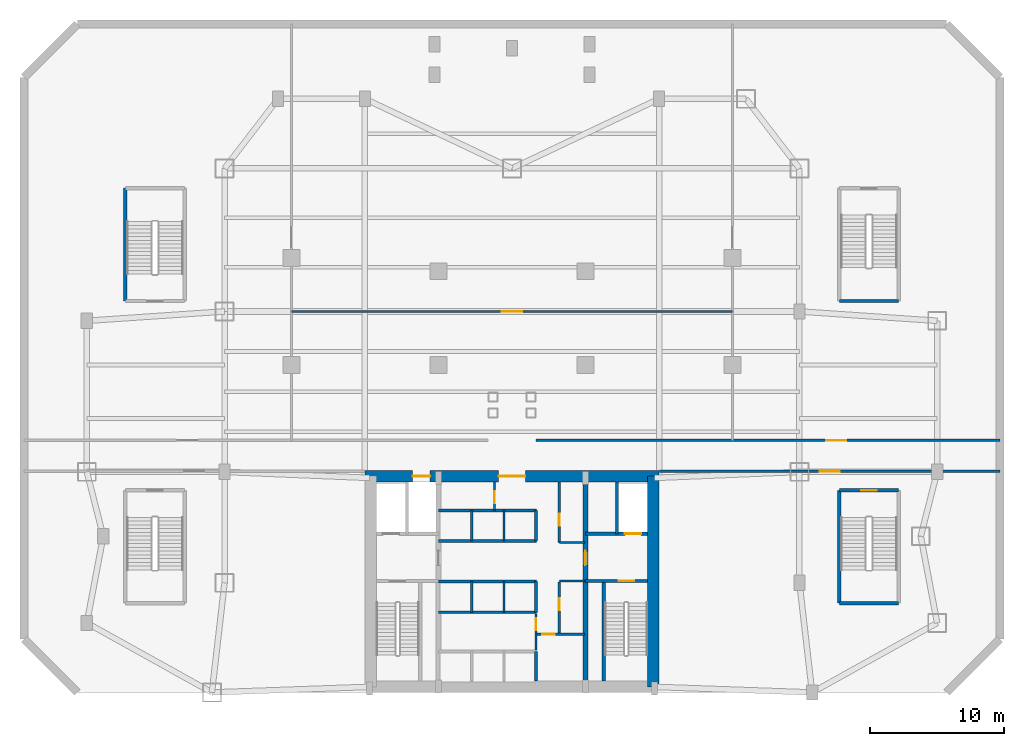
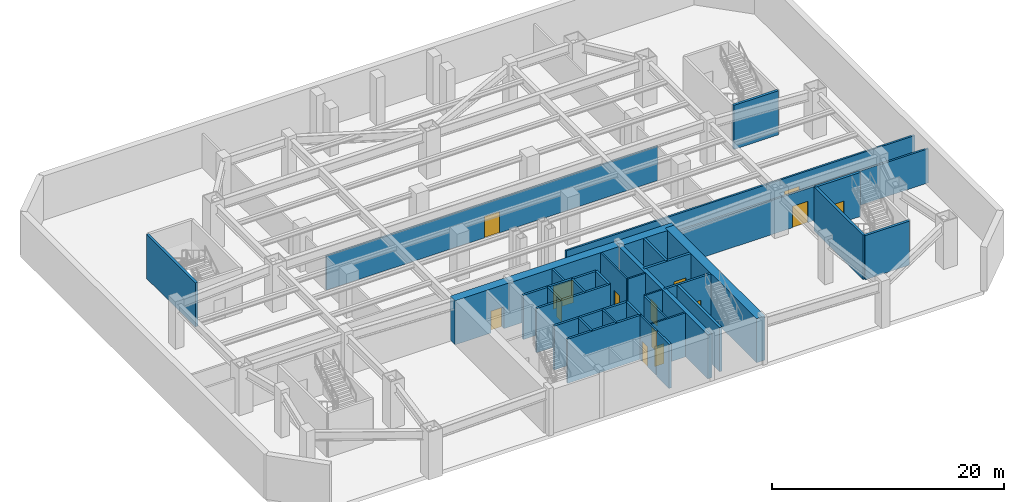
# One storey, part 3 of 6: 33 walls, 14 doors, 14 openings.
"""IFC4 building model written with IfcOpenShell, lengths in metres."""

from ifc_helpers import new_model, si_unit, direction, frame, frame_2d, origin, place, context, subcontext, project, spatial, rectangle, extrude, source, transform, mapped, material, layer, layer_set, type_object, type_shapes, element, fill, save


model = new_model("IFC4")

# Units and contexts
model_context = context("Model", 3, precision=1e-05, world=origin(), true_north=direction((0.0, 1.0)))
body_context = subcontext(model_context, "Body", "Model", "MODEL_VIEW")
ifc_project = project(units=[si_unit("LENGTHUNIT", "METRE"), si_unit("AREAUNIT", "SQUARE_METRE"), si_unit("VOLUMEUNIT", "CUBIC_METRE"), si_unit("PLANEANGLEUNIT", "RADIAN"), si_unit("MASSUNIT", "GRAM", prefix="KILO")], contexts=[model_context])

# Site, building, storey
site_placement = place(None, origin())
site = spatial("IfcSite", under=ifc_project, at=site_placement, CompositionType="ELEMENT")
building_placement = place(site_placement, origin())
building = spatial("IfcBuilding", under=site, at=building_placement, Name="Varnakhor Terracotta Tower", CompositionType="ELEMENT")
storey_placement = place(building_placement, frame((0.0, 0.0, -5.0)))
storey = spatial("IfcBuildingStorey", under=building, at=storey_placement, Name="B01", CompositionType="ELEMENT", Elevation=-5.0)

# Wall, openings, doors
ifc_material_1 = material(Name="Concrete C60/75", Category="concrete")
ifc_layer_1 = layer(ifc_material_1, 0.85009765625, Name="Concrete C60/75")
ifc_layer_set_1 = layer_set([ifc_layer_1], Name="Concrete C60/75")
wall_type_1 = type_object("IfcWallType", Name="WAL-CORE-850", PredefinedType="SHEAR", material=ifc_layer_set_1)
wall_1_placement = place(storey_placement, frame((-11.0, 16.175048828125, 0.0), z_axis=(0.0, 0.0, 1.0), x_axis=(1.0, 0.0, 0.0)))
wall_1 = element("IfcWall", 1, at=wall_1_placement, inside=storey, type_object=wall_type_1, Name="B01 North Core Shear Wall", PredefinedType="SHEAR", context=body_context, shape_type="SweptSolid", body=[
    extrude(rectangle(XDim=22.0, YDim=0.85009765625, at=frame_2d((11.0, 0.0))), origin(), (0.0, 0.0, 1.0), 4.639892578125),
])
opening_1_placement = place(wall_1_placement, frame((3.570068359375, 0.0, 0.0)))
opening_1 = element("IfcOpeningElement", 2, at=opening_1_placement, cuts=wall_1, Name="Opening LD-03", PredefinedType="OPENING", context=body_context, shape_type="SweptSolid", body=[
    extrude(rectangle(XDim=1.300048828125, YDim=2.300048828125, at=frame_2d((0.64990234375, 1.14990234375))), frame((0.0, 0.43505859375, 0.0), z_axis=(0.0, -1.0, 0.0), x_axis=(1.0, 0.0, 0.0)), (0.0, 0.0, 1.0), 0.8701171875),
])
opening_2_placement = place(wall_1_placement, frame((10.0, 0.0, 0.0)))
opening_2 = element("IfcOpeningElement", 3, at=opening_2_placement, cuts=wall_1, Name="Opening DR-32", PredefinedType="OPENING", context=body_context, shape_type="SweptSolid", body=[
    extrude(rectangle(XDim=2.0, YDim=2.39990234375, at=frame_2d((1.0, 1.199951171875))), frame((0.0, 0.43505859375, 0.0), z_axis=(0.0, -1.0, 0.0), x_axis=(1.0, 0.0, 0.0)), (0.0, 0.0, 1.0), 0.8701171875),
])
ifc_material_2 = material(Name="Heavy-Duty Goods Sliding Lift Landing Door", Category="steel")
door_type_1 = type_object("IfcDoorType", Name="LD-SRV-1300X2300", OperationType="NOTDEFINED", PredefinedType="DOOR", material=ifc_material_2)
shared_shape_1 = source(origin(), body_context, "Body", "SweptSolid", [
    extrude(rectangle(XDim=1.300048828125, YDim=2.300048828125, at=frame_2d((0.64990234375, 1.14990234375))), frame((0.0, 0.02490234375, 0.0), z_axis=(0.0, -1.0, 0.0), x_axis=(1.0, 0.0, 0.0)), (0.0, 0.0, 1.0), 0.050048828125),
])
type_shapes(door_type_1, [shared_shape_1])
door_1_placement = place(opening_1_placement, origin())
door_1 = element("IfcDoor", 4, at=door_1_placement, inside=storey, type_object=door_type_1, Name="B01 Service Lift SVL-1 Landing Door", OperationType="SLIDING_TO_RIGHT", OverallHeight=2.300048828125, OverallWidth=1.300048828125, PredefinedType="DOOR", context=body_context, shape_type="MappedRepresentation", body=[
    mapped(shared_shape_1, transform((0.0, 0.0, 0.0), scale=1.0)),
])
fill(opening_1, door_1)
ifc_material_3 = material(Name="Acoustic Double Assembly Fire Door", Category="wood")
door_type_2 = type_object("IfcDoorType", Name="DR-HALL-2000X2400", OperationType="NOTDEFINED", PredefinedType="DOOR", material=ifc_material_3)
shared_shape_2 = source(origin(), body_context, "Body", "SweptSolid", [
    extrude(rectangle(XDim=2.0, YDim=2.39990234375, at=frame_2d((1.0, 1.199951171875))), frame((0.0, 0.02490234375, 0.0), z_axis=(0.0, -1.0, 0.0), x_axis=(1.0, 0.0, 0.0)), (0.0, 0.0, 1.0), 0.050048828125),
])
type_shapes(door_type_2, [shared_shape_2])
door_2_placement = place(opening_2_placement, origin())
door_2 = element("IfcDoor", 5, at=door_2_placement, inside=storey, type_object=door_type_2, Name="B01 Core Main Lobby Double Door", OperationType="DOUBLE_DOOR_SINGLE_SWING", OverallHeight=2.39990234375, OverallWidth=2.0, PredefinedType="DOOR", context=body_context, shape_type="MappedRepresentation", body=[
    mapped(shared_shape_2, transform((0.0, 0.0, 0.0), scale=1.0)),
])
fill(opening_2, door_2)

# Wall
wall_2_placement = place(storey_placement, frame((10.574951171875, 0.425048828125, 0.0), z_axis=(0.0, 0.0, 1.0), x_axis=(0.0, 1.0, 0.0)))
element("IfcWall", 6, at=wall_2_placement, inside=storey, type_object=wall_type_1, Name="B01 East Core Shear Wall", PredefinedType="SHEAR", context=body_context, shape_type="SweptSolid", body=[
    extrude(rectangle(XDim=15.75, YDim=0.85009765625, at=frame_2d((7.875, 0.0))), origin(), (0.0, 0.0, 1.0), 4.639892578125),
])

# Wall, opening, door
ifc_material_4 = material(Name="Concrete C50/60", Category="concrete")
ifc_layer_2 = layer(ifc_material_4, 0.39990234375, Name="Concrete C50/60")
ifc_layer_set_2 = layer_set([ifc_layer_2], Name="Concrete C50/60")
wall_type_2 = type_object("IfcWallType", Name="WAL-CORE-WEB-400", PredefinedType="SHEAR", material=ifc_layer_set_2)
wall_3_placement = place(storey_placement, frame((5.5, 0.425048828125, 0.0), z_axis=(0.0, 0.0, 1.0), x_axis=(0.0, 1.0, 0.0)))
wall_3 = element("IfcWall", 7, at=wall_3_placement, inside=storey, type_object=wall_type_2, Name="B01 East Core Web Shear Wall", PredefinedType="SHEAR", context=body_context, shape_type="SweptSolid", body=[
    extrude(rectangle(XDim=15.75, YDim=0.39990234375, at=frame_2d((7.875, 0.0))), origin(), (0.0, 0.0, 1.0), 4.639892578125),
])
opening_3_placement = place(wall_3_placement, frame((9.074951171875, 0.0, 0.0)))
opening_3 = element("IfcOpeningElement", 8, at=opening_3_placement, cuts=wall_3, Name="Opening DR-25", PredefinedType="OPENING", context=body_context, shape_type="SweptSolid", body=[
    extrude(rectangle(XDim=1.10009765625, YDim=2.199951171875, at=frame_2d((0.550048828125, 1.10009765625))), frame((0.0, 0.2099609375, 0.0), z_axis=(0.0, -1.0, 0.0), x_axis=(1.0, 0.0, 0.0)), (0.0, 0.0, 1.0), 0.419921875),
])
ifc_material_5 = material(Name="Firefighting Lobby Self-Closing Fire Door", Category="steel")
door_type_3 = type_object("IfcDoorType", Name="DR-FFL-1100X2200", OperationType="NOTDEFINED", PredefinedType="DOOR", material=ifc_material_5)
shared_shape_3 = source(origin(), body_context, "Body", "SweptSolid", [
    extrude(rectangle(XDim=1.10009765625, YDim=2.199951171875, at=frame_2d((0.550048828125, 1.10009765625))), frame((0.0, 0.02490234375, 0.0), z_axis=(0.0, -1.0, 0.0), x_axis=(1.0, 0.0, 0.0)), (0.0, 0.0, 1.0), 0.050048828125),
])
type_shapes(door_type_3, [shared_shape_3])
door_3_placement = place(opening_3_placement, origin())
door_3 = element("IfcDoor", 9, at=door_3_placement, inside=storey, type_object=door_type_3, Name="B01 East Firefighting Lobby Door", OperationType="SINGLE_SWING_LEFT", OverallHeight=2.199951171875, OverallWidth=1.10009765625, PredefinedType="DOOR", context=body_context, shape_type="MappedRepresentation", body=[
    mapped(shared_shape_3, transform((0.0, 0.0, 0.0), scale=1.0)),
])
fill(opening_3, door_3)

ifc_material_6 = material(Name="Fire-Rated Gypsum Stud Partition", Category="gypsum")
ifc_layer_3 = layer(ifc_material_6, 0.18505859375, Name="Fire-Rated Gypsum Stud Partition")
ifc_layer_set_3 = layer_set([ifc_layer_3], Name="Fire-Rated Gypsum Stud Partition")
wall_type_3 = type_object("IfcWallType", Name="WAL-CORR-185", PredefinedType="PARTITIONING", material=ifc_layer_set_3)
wall_4_placement = place(storey_placement, frame((11.02001953125, 16.550048828125, 0.0), z_axis=(0.0, 0.0, 1.0), x_axis=(1.0, 0.0, 0.0)))
wall_4 = element("IfcWall", 10, at=wall_4_placement, inside=storey, type_object=wall_type_3, Name="B01 East Plant Corridor Wall", PredefinedType="PARTITIONING", context=body_context, shape_type="SweptSolid", body=[
    extrude(rectangle(XDim=25.469970703125, YDim=0.18505859375, at=frame_2d((12.73486328125, 0.0))), origin(), (0.0, 0.0, 1.0), 3.592041015625),
])
opening_4_placement = place(wall_4_placement, frame((11.985107421875, 0.0, 0.0)))
opening_4 = element("IfcOpeningElement", 11, at=opening_4_placement, cuts=wall_4, Name="Opening DR-30", PredefinedType="OPENING", context=body_context, shape_type="SweptSolid", body=[
    extrude(rectangle(XDim=1.5, YDim=2.25, at=frame_2d((0.75, 1.125))), frame((0.0, 0.1025390625, 0.0), z_axis=(0.0, -1.0, 0.0), x_axis=(1.0, 0.0, 0.0)), (0.0, 0.0, 1.0), 0.205078125),
])
ifc_material_7 = material(Name="Double Acoustic Conference Room Door", Category="wood")
door_type_4 = type_object("IfcDoorType", Name="DR-MEET-1500X2250", OperationType="NOTDEFINED", PredefinedType="DOOR", material=ifc_material_7)
shared_shape_4 = source(origin(), body_context, "Body", "SweptSolid", [
    extrude(rectangle(XDim=1.5, YDim=2.25, at=frame_2d((0.75, 1.125))), frame((0.0, 0.02490234375, 0.0), z_axis=(0.0, -1.0, 0.0), x_axis=(1.0, 0.0, 0.0)), (0.0, 0.0, 1.0), 0.050048828125),
])
type_shapes(door_type_4, [shared_shape_4])
door_4_placement = place(opening_4_placement, origin())
door_4 = element("IfcDoor", 12, at=door_4_placement, inside=storey, type_object=door_type_4, Name="B01 SE Plant Door", OperationType="DOUBLE_DOOR_SINGLE_SWING", OverallHeight=2.25, OverallWidth=1.5, PredefinedType="DOOR", context=body_context, shape_type="MappedRepresentation", body=[
    mapped(shared_shape_4, transform((0.0, 0.0, 0.0), scale=1.0)),
])
fill(opening_4, door_4)

wall_5_placement = place(storey_placement, frame((1.800048828125, 18.85009765625, 0.0), z_axis=(0.0, 0.0, 1.0), x_axis=(1.0, 0.0, 0.0)))
wall_5 = element("IfcWall", 13, at=wall_5_placement, inside=storey, type_object=wall_type_3, Name="B01 Corridor North East Wall", PredefinedType="PARTITIONING", context=body_context, shape_type="SweptSolid", body=[
    extrude(rectangle(XDim=34.68994140625, YDim=0.18505859375, at=frame_2d((17.344970703125, 0.0))), origin(), (0.0, 0.0, 1.0), 3.592041015625),
])
opening_5_placement = place(wall_5_placement, frame((21.696533203125, 0.0, 0.0)))
opening_5 = element("IfcOpeningElement", 14, at=opening_5_placement, cuts=wall_5, Name="Opening DR-30", PredefinedType="OPENING", context=body_context, shape_type="SweptSolid", body=[
    extrude(rectangle(XDim=1.5, YDim=2.25, at=frame_2d((0.75, 1.125))), frame((0.0, 0.1025390625, 0.0), z_axis=(0.0, -1.0, 0.0), x_axis=(1.0, 0.0, 0.0)), (0.0, 0.0, 1.0), 0.205078125),
])
door_5_placement = place(opening_5_placement, origin())
door_5 = element("IfcDoor", 15, at=door_5_placement, inside=storey, type_object=door_type_4, Name="B01 East Hall Door", OperationType="DOUBLE_DOOR_SINGLE_SWING", OverallHeight=2.25, OverallWidth=1.5, PredefinedType="DOOR", context=body_context, shape_type="MappedRepresentation", body=[
    mapped(shared_shape_4, transform((0.0, 0.0, 0.0), scale=1.0)),
])
fill(opening_5, door_5)

ifc_material_8 = material(Name="Concrete C40/50", Category="concrete")
ifc_layer_4 = layer(ifc_material_8, 0.219970703125, Name="Concrete C40/50")
ifc_layer_set_4 = layer_set([ifc_layer_4], Name="Concrete C40/50")
wall_type_4 = type_object("IfcWallType", Name="WAL-FFLOBBY-220", PredefinedType="SOLIDWALL", material=ifc_layer_set_4)
wall_6_placement = place(storey_placement, frame((10.14990234375, 8.35009765625, 0.0), z_axis=(0.0, 0.0, 1.0), x_axis=(-1.0, 0.0, 0.0)))
wall_6 = element("IfcWall", 16, at=wall_6_placement, inside=storey, type_object=wall_type_4, Name="B01 East Firefighting Lobby Stair Wall", PredefinedType="SOLIDWALL", context=body_context, shape_type="SweptSolid", body=[
    extrude(rectangle(XDim=4.64990234375, YDim=0.219970703125, at=frame_2d((2.324951171875, 0.0))), origin(), (0.0, 0.0, 1.0), 4.639892578125),
])
opening_6_placement = place(wall_6_placement, frame((1.0, 0.0, 0.0)))
opening_6 = element("IfcOpeningElement", 17, at=opening_6_placement, cuts=wall_6, Name="Opening DR-34", PredefinedType="OPENING", context=body_context, shape_type="SweptSolid", body=[
    extrude(rectangle(XDim=1.14990234375, YDim=2.199951171875, at=frame_2d((0.574951171875, 1.10009765625))), frame((0.0, 0.1201171875, 0.0), z_axis=(0.0, -1.0, 0.0), x_axis=(1.0, 0.0, 0.0)), (0.0, 0.0, 1.0), 0.239990234375),
])
ifc_material_9 = material(Name="Self-Closing Smoke-Sealed Steel Fire Door", Category="steel")
door_type_5 = type_object("IfcDoorType", Name="DR-STAIR-1150X2200", OperationType="NOTDEFINED", PredefinedType="DOOR", material=ifc_material_9)
shared_shape_5 = source(origin(), body_context, "Body", "SweptSolid", [
    extrude(rectangle(XDim=1.14990234375, YDim=2.199951171875, at=frame_2d((0.574951171875, 1.10009765625))), frame((0.0, 0.02490234375, 0.0), z_axis=(0.0, -1.0, 0.0), x_axis=(1.0, 0.0, 0.0)), (0.0, 0.0, 1.0), 0.050048828125),
])
type_shapes(door_type_5, [shared_shape_5])
door_6_placement = place(opening_6_placement, origin())
door_6 = element("IfcDoor", 18, at=door_6_placement, inside=storey, type_object=door_type_5, Name="B01 Exit Stair ST-2 Fire Door", OperationType="SINGLE_SWING_RIGHT", OverallHeight=2.199951171875, OverallWidth=1.14990234375, PredefinedType="DOOR", context=body_context, shape_type="MappedRepresentation", body=[
    mapped(shared_shape_5, transform((0.0, 0.0, 0.0), scale=1.0)),
])
fill(opening_6, door_6)

# Walls
ifc_layer_5 = layer(ifc_material_8, 0.179931640625, Name="Concrete C40/50")
ifc_layer_set_5 = layer_set([ifc_layer_5], Name="Concrete C40/50")
wall_type_5 = type_object("IfcWallType", Name="WAL-SHAFT-180", PredefinedType="SOLIDWALL", material=ifc_layer_set_5)
for number, where, z_axis, x_axis, name in (
    (19, (-3.0, 6.0, 0.0), (0.0, 0.0, 1.0), (0.0, 1.0, 0.0), "B01 PL-2A Divider"),
    (20, (-0.60009765625, 6.0, 0.0), (0.0, 0.0, 1.0), (0.0, 1.0, 0.0), "B01 PL-2B Divider"),
    (21, (-3.0, 11.320068359375, 0.0), (0.0, 0.0, 1.0), (0.0, 1.0, 0.0), "B01 PL-3A Divider"),
    (22, (-0.60009765625, 11.320068359375, 0.0), (0.0, 0.0, 1.0), (0.0, 1.0, 0.0), "B01 PL-3B Divider"),
):
    element("IfcWall", number, at=place(storey_placement, frame(where, z_axis=z_axis, x_axis=x_axis)), inside=storey, type_object=wall_type_5, Name=name, PredefinedType="SOLIDWALL", context=body_context, shape_type="SweptSolid", body=[
        extrude(rectangle(XDim=2.300048828125, YDim=0.179931640625, at=frame_2d((1.14990234375, 0.0))), origin(), (0.0, 0.0, 1.0), 4.639892578125),
    ])
ifc_layer_6 = layer(ifc_material_8, 0.219970703125, Name="Concrete C40/50")
ifc_layer_set_6 = layer_set([ifc_layer_6], Name="Concrete C40/50")
wall_type_6 = type_object("IfcWallType", Name="WAL-SHAFT-220", PredefinedType="SOLIDWALL", material=ifc_layer_set_6)
wall_7_placement = place(storey_placement, frame((7.840087890625, 11.8701171875, 0.0), z_axis=(0.0, 0.0, 1.0), x_axis=(0.0, 1.0, 0.0)))
element("IfcWall", 23, at=wall_7_placement, inside=storey, type_object=wall_type_6, Name="B01 Lift FFL-2 and Riser Divider Wall", PredefinedType="SOLIDWALL", context=body_context, shape_type="SweptSolid", body=[
    extrude(rectangle(XDim=3.8798828125, YDim=0.219970703125, at=frame_2d((1.93994140625, 0.0))), origin(), (0.0, 0.0, 1.0), 4.639892578125),
])
wall_8_placement = place(storey_placement, frame((1.800048828125, 0.85009765625, 0.0), z_axis=(0.0, 0.0, 1.0), x_axis=(0.0, 1.0, 0.0)))
element("IfcWall", 24, at=wall_8_placement, inside=storey, type_object=wall_type_6, Name="B01 Bank 1 East Shaft Wall", PredefinedType="SOLIDWALL", context=body_context, shape_type="SweptSolid", body=[
    extrude(rectangle(XDim=2.199951171875, YDim=0.219970703125, at=frame_2d((1.10009765625, 0.0))), origin(), (0.0, 0.0, 1.0), 4.639892578125),
])
for number, where, z_axis, x_axis, name in (
    (25, (-5.5, 6.0, 0.0), (0.0, 0.0, 1.0), (1.0, 0.0, 0.0), "B01 Bank 2 South Shaft Wall"),
    (26, (-5.5, 8.300048828125, 0.0), (0.0, 0.0, 1.0), (1.0, 0.0, 0.0), "B01 Bank 2 North Shaft Wall"),
):
    element("IfcWall", number, at=place(storey_placement, frame(where, z_axis=z_axis, x_axis=x_axis)), inside=storey, type_object=wall_type_6, Name=name, PredefinedType="SOLIDWALL", context=body_context, shape_type="SweptSolid", body=[
        extrude(rectangle(XDim=7.320068359375, YDim=0.219970703125, at=frame_2d((3.66015625, 0.0))), origin(), (0.0, 0.0, 1.0), 4.639892578125),
    ])
wall_9_placement = place(storey_placement, frame((1.800048828125, 6.0, 0.0), z_axis=(0.0, 0.0, 1.0), x_axis=(0.0, 1.0, 0.0)))
element("IfcWall", 27, at=wall_9_placement, inside=storey, type_object=wall_type_6, Name="B01 Bank 2 East Shaft Wall", PredefinedType="SOLIDWALL", context=body_context, shape_type="SweptSolid", body=[
    extrude(rectangle(XDim=2.300048828125, YDim=0.219970703125, at=frame_2d((1.14990234375, 0.0))), origin(), (0.0, 0.0, 1.0), 4.639892578125),
])
for number, where, z_axis, x_axis, name in (
    (28, (-5.5, 11.320068359375, 0.0), (0.0, 0.0, 1.0), (1.0, 0.0, 0.0), "B01 Bank 3 South Shaft Wall"),
    (29, (-5.5, 13.6201171875, 0.0), (0.0, 0.0, 1.0), (1.0, 0.0, 0.0), "B01 Bank 3 North Shaft Wall"),
):
    element("IfcWall", number, at=place(storey_placement, frame(where, z_axis=z_axis, x_axis=x_axis)), inside=storey, type_object=wall_type_6, Name=name, PredefinedType="SOLIDWALL", context=body_context, shape_type="SweptSolid", body=[
        extrude(rectangle(XDim=7.320068359375, YDim=0.219970703125, at=frame_2d((3.66015625, 0.0))), origin(), (0.0, 0.0, 1.0), 4.639892578125),
    ])
wall_10_placement = place(storey_placement, frame((1.800048828125, 11.320068359375, 0.0), z_axis=(0.0, 0.0, 1.0), x_axis=(0.0, 1.0, 0.0)))
element("IfcWall", 30, at=wall_10_placement, inside=storey, type_object=wall_type_6, Name="B01 Bank 3 East Shaft Wall", PredefinedType="SOLIDWALL", context=body_context, shape_type="SweptSolid", body=[
    extrude(rectangle(XDim=2.300048828125, YDim=0.219970703125, at=frame_2d((1.14990234375, 0.0))), origin(), (0.0, 0.0, 1.0), 4.639892578125),
])
ifc_layer_7 = layer(ifc_material_8, 0.25, Name="Concrete C40/50")
ifc_layer_set_7 = layer_set([ifc_layer_7], Name="Concrete C40/50")
wall_type_7 = type_object("IfcWallType", Name="WAL-SHAFT-250", PredefinedType="SOLIDWALL", material=ifc_layer_set_7)
wall_11_placement = place(storey_placement, frame((6.85009765625, 0.85009765625, 0.0), z_axis=(0.0, 0.0, 1.0), x_axis=(0.0, 1.0, 0.0)))
element("IfcWall", 31, at=wall_11_placement, inside=storey, type_object=wall_type_7, Name="B01 Stair ST-2 Bearing Shaft Wall", PredefinedType="SOLIDWALL", context=body_context, shape_type="SweptSolid", body=[
    extrude(rectangle(XDim=7.5, YDim=0.25, at=frame_2d((3.75, 0.0))), origin(), (0.0, 0.0, 1.0), 4.639892578125),
])

# Wall, opening, door
wall_12_placement = place(storey_placement, frame((10.14990234375, 11.8701171875, 0.0), z_axis=(0.0, 0.0, 1.0), x_axis=(-1.0, 0.0, 0.0)))
wall_12 = element("IfcWall", 32, at=wall_12_placement, inside=storey, type_object=wall_type_7, Name="B01 Lift FFL-2 Shaft Front Wall", PredefinedType="SOLIDWALL", context=body_context, shape_type="SweptSolid", body=[
    extrude(rectangle(XDim=4.64990234375, YDim=0.25, at=frame_2d((2.324951171875, 0.0))), origin(), (0.0, 0.0, 1.0), 4.639892578125),
])
opening_7_placement = place(wall_12_placement, frame((0.5, 0.0, 0.0)))
opening_7 = element("IfcOpeningElement", 33, at=opening_7_placement, cuts=wall_12, Name="Opening LD-02", PredefinedType="OPENING", context=body_context, shape_type="SweptSolid", body=[
    extrude(rectangle(XDim=1.199951171875, YDim=2.25, at=frame_2d((0.60009765625, 1.125))), frame((0.0, 0.135009765625, 0.0), z_axis=(0.0, -1.0, 0.0), x_axis=(1.0, 0.0, 0.0)), (0.0, 0.0, 1.0), 0.27001953125),
])
ifc_material_10 = material(Name="Firefighting Stretcher Sliding Lift Landing Door", Category="steel")
door_type_6 = type_object("IfcDoorType", Name="LD-FFL-1200X2250", OperationType="NOTDEFINED", PredefinedType="DOOR", material=ifc_material_10)
shared_shape_6 = source(origin(), body_context, "Body", "SweptSolid", [
    extrude(rectangle(XDim=1.199951171875, YDim=2.25, at=frame_2d((0.60009765625, 1.125))), frame((0.0, 0.02490234375, 0.0), z_axis=(0.0, -1.0, 0.0), x_axis=(1.0, 0.0, 0.0)), (0.0, 0.0, 1.0), 0.050048828125),
])
type_shapes(door_type_6, [shared_shape_6])
door_7_placement = place(opening_7_placement, origin())
door_7 = element("IfcDoor", 34, at=door_7_placement, inside=storey, type_object=door_type_6, Name="B01 Firefighting Lift FFL-2 Landing Door", OperationType="SLIDING_TO_RIGHT", OverallHeight=2.25, OverallWidth=1.199951171875, PredefinedType="DOOR", context=body_context, shape_type="MappedRepresentation", body=[
    mapped(shared_shape_6, transform((0.0, 0.0, 0.0), scale=1.0)),
])
fill(opening_7, door_7)

# Walls
wall_13_placement = place(storey_placement, frame((24.47998046875, 6.679931640625, 0.0), z_axis=(0.0, 0.0, 1.0), x_axis=(0.0, 1.0, 0.0)))
element("IfcWall", 35, at=wall_13_placement, inside=storey, type_object=wall_type_7, Name="B01 ST-P2 Bearing Shaft Wall W", PredefinedType="SOLIDWALL", context=body_context, shape_type="SweptSolid", body=[
    extrude(rectangle(XDim=8.440185546875, YDim=0.25, at=frame_2d((4.22021484375, 0.0))), origin(), (0.0, 0.0, 1.0), 4.639892578125),
])
wall_14_placement = place(storey_placement, frame((24.47998046875, 6.679931640625, 0.0), z_axis=(0.0, 0.0, 1.0), x_axis=(1.0, 0.0, 0.0)))
element("IfcWall", 36, at=wall_14_placement, inside=storey, type_object=wall_type_7, Name="B01 ST-P2 Bearing Shaft Wall S", PredefinedType="SOLIDWALL", context=body_context, shape_type="SweptSolid", body=[
    extrude(rectangle(XDim=4.43994140625, YDim=0.25, at=frame_2d((2.219970703125, 0.0))), origin(), (0.0, 0.0, 1.0), 4.639892578125),
])

# Wall, opening, door
wall_15_placement = place(storey_placement, frame((28.919921875, 15.1201171875, 0.0), z_axis=(0.0, 0.0, 1.0), x_axis=(-1.0, 0.0, 0.0)))
wall_15 = element("IfcWall", 37, at=wall_15_placement, inside=storey, type_object=wall_type_7, Name="B01 ST-P2 Bearing Shaft Wall N", PredefinedType="SOLIDWALL", context=body_context, shape_type="SweptSolid", body=[
    extrude(rectangle(XDim=4.43994140625, YDim=0.25, at=frame_2d((2.219970703125, 0.0))), origin(), (0.0, 0.0, 1.0), 4.639892578125),
])
opening_8_placement = place(wall_15_placement, frame((1.64501953125, 0.0, 0.0)))
opening_8 = element("IfcOpeningElement", 38, at=opening_8_placement, cuts=wall_15, Name="Opening DR-34", PredefinedType="OPENING", context=body_context, shape_type="SweptSolid", body=[
    extrude(rectangle(XDim=1.14990234375, YDim=2.199951171875, at=frame_2d((0.574951171875, 1.10009765625))), frame((0.0, 0.135009765625, 0.0), z_axis=(0.0, -1.0, 0.0), x_axis=(1.0, 0.0, 0.0)), (0.0, 0.0, 1.0), 0.27001953125),
])
door_8_placement = place(opening_8_placement, origin())
door_8 = element("IfcDoor", 39, at=door_8_placement, inside=storey, type_object=door_type_5, Name="B01 Exit Stair ST-P2 Fire Door", OperationType="SINGLE_SWING_RIGHT", OverallHeight=2.199951171875, OverallWidth=1.14990234375, PredefinedType="DOOR", context=body_context, shape_type="MappedRepresentation", body=[
    mapped(shared_shape_5, transform((0.0, 0.0, 0.0), scale=1.0)),
])
fill(opening_8, door_8)

# Walls
wall_16_placement = place(storey_placement, frame((-28.919921875, 29.280029296875, 0.0), z_axis=(0.0, 0.0, 1.0), x_axis=(0.0, 1.0, 0.0)))
element("IfcWall", 40, at=wall_16_placement, inside=storey, type_object=wall_type_7, Name="B01 ST-P3 Bearing Shaft Wall W", PredefinedType="SOLIDWALL", context=body_context, shape_type="SweptSolid", body=[
    extrude(rectangle(XDim=8.43994140625, YDim=0.25, at=frame_2d((4.219970703125, 0.0))), origin(), (0.0, 0.0, 1.0), 4.639892578125),
])
wall_17_placement = place(storey_placement, frame((24.47998046875, 29.280029296875, 0.0), z_axis=(0.0, 0.0, 1.0), x_axis=(1.0, 0.0, 0.0)))
element("IfcWall", 41, at=wall_17_placement, inside=storey, type_object=wall_type_7, Name="B01 ST-P4 Bearing Shaft Wall S", PredefinedType="SOLIDWALL", context=body_context, shape_type="SweptSolid", body=[
    extrude(rectangle(XDim=4.43994140625, YDim=0.25, at=frame_2d((2.219970703125, 0.0))), origin(), (0.0, 0.0, 1.0), 4.639892578125),
])

# Wall, opening, door
ifc_material_11 = material(Name="Acoustic Fire-Rated Partition", Category="gypsum")
ifc_layer_8 = layer(ifc_material_11, 0.1650390625, Name="Acoustic Fire-Rated Partition")
ifc_layer_set_8 = layer_set([ifc_layer_8], Name="Acoustic Fire-Rated Partition")
wall_type_8 = type_object("IfcWallType", Name="WAL-TENANCY-165", PredefinedType="PARTITIONING", material=ifc_layer_set_8)
wall_18_placement = place(storey_placement, frame((1.800048828125, 3.159912109375, 0.0), z_axis=(0.0, 0.0, 1.0), x_axis=(0.0, 1.0, 0.0)))
wall_18 = element("IfcWall", 42, at=wall_18_placement, inside=storey, type_object=wall_type_8, Name="B01 Core Rated Service Wall", PredefinedType="PARTITIONING", context=body_context, shape_type="SweptSolid", body=[
    extrude(rectangle(XDim=2.719970703125, YDim=0.1650390625, at=frame_2d((1.35986328125, 0.0))), origin(), (0.0, 0.0, 1.0), 4.632080078125),
])
opening_9_placement = place(wall_18_placement, frame((1.5, 0.0, 0.0)))
opening_9 = element("IfcOpeningElement", 43, at=opening_9_placement, cuts=wall_18, Name="Opening DR-67", PredefinedType="OPENING", context=body_context, shape_type="SweptSolid", body=[
    extrude(rectangle(XDim=0.89990234375, YDim=2.10009765625, at=frame_2d((0.449951171875, 1.050048828125))), frame((0.0, 0.092529296875, 0.0), z_axis=(0.0, -1.0, 0.0), x_axis=(1.0, 0.0, 0.0)), (0.0, 0.0, 1.0), 0.18505859375),
])
ifc_material_12 = material(Name="Steel Service Riser Fire Door", Category="steel")
door_type_7 = type_object("IfcDoorType", Name="DR-RISER-900X2100", OperationType="NOTDEFINED", PredefinedType="DOOR", material=ifc_material_12)
shared_shape_7 = source(origin(), body_context, "Body", "SweptSolid", [
    extrude(rectangle(XDim=0.89990234375, YDim=2.10009765625, at=frame_2d((0.449951171875, 1.050048828125))), frame((0.0, 0.02490234375, 0.0), z_axis=(0.0, -1.0, 0.0), x_axis=(1.0, 0.0, 0.0)), (0.0, 0.0, 1.0), 0.050048828125),
])
type_shapes(door_type_7, [shared_shape_7])
door_9_placement = place(opening_9_placement, origin())
door_9 = element("IfcDoor", 44, at=door_9_placement, inside=storey, type_object=door_type_7, Name="B01 Core Store Fire Door", OperationType="SINGLE_SWING_RIGHT", OverallHeight=2.10009765625, OverallWidth=0.89990234375, PredefinedType="DOOR", context=body_context, shape_type="MappedRepresentation", body=[
    mapped(shared_shape_7, transform((0.0, 0.0, 0.0), scale=1.0)),
])
fill(opening_9, door_9)

wall_19_placement = place(storey_placement, frame((3.5400390625, 4.4326171875, 0.0), z_axis=(0.0, 0.0, 1.0), x_axis=(0.0, 1.0, 0.0)))
wall_19 = element("IfcWall", 45, at=wall_19_placement, inside=storey, type_object=wall_type_8, Name="B01 Core Service Rated Wall", PredefinedType="PARTITIONING", context=body_context, shape_type="SweptSolid", body=[
    extrude(rectangle(XDim=3.824951171875, YDim=0.1650390625, at=frame_2d((1.91259765625, 0.0))), origin(), (0.0, 0.0, 1.0), 4.632080078125),
])
opening_10_placement = place(wall_19_placement, frame((1.72119140625, 0.0, 0.0)))
opening_10 = element("IfcOpeningElement", 46, at=opening_10_placement, cuts=wall_19, Name="Opening DR-67", PredefinedType="OPENING", context=body_context, shape_type="SweptSolid", body=[
    extrude(rectangle(XDim=0.89990234375, YDim=2.10009765625, at=frame_2d((0.449951171875, 1.050048828125))), frame((0.0, 0.092529296875, 0.0), z_axis=(0.0, -1.0, 0.0), x_axis=(1.0, 0.0, 0.0)), (0.0, 0.0, 1.0), 0.18505859375),
])
door_10_placement = place(opening_10_placement, origin())
door_10 = element("IfcDoor", 47, at=door_10_placement, inside=storey, type_object=door_type_7, Name="B01 Core Accessible WC Door", OperationType="SINGLE_SWING_RIGHT", OverallHeight=2.10009765625, OverallWidth=0.89990234375, PredefinedType="DOOR", context=body_context, shape_type="MappedRepresentation", body=[
    mapped(shared_shape_7, transform((0.0, 0.0, 0.0), scale=1.0)),
])
fill(opening_10, door_10)

# Wall
wall_20_placement = place(storey_placement, frame((3.5400390625, 8.340087890625, 0.0), z_axis=(0.0, 0.0, 1.0), x_axis=(1.0, 0.0, 0.0)))
element("IfcWall", 48, at=wall_20_placement, inside=storey, type_object=wall_type_8, Name="B01 Accessible WC North Wall", PredefinedType="PARTITIONING", context=body_context, shape_type="SweptSolid", body=[
    extrude(rectangle(XDim=1.8798828125, YDim=0.1650390625, at=frame_2d((0.93994140625, 0.0))), origin(), (0.0, 0.0, 1.0), 4.632080078125),
])

# Wall, opening, door
wall_21_placement = place(storey_placement, frame((1.800048828125, 4.35009765625, 0.0), z_axis=(0.0, 0.0, 1.0), x_axis=(1.0, 0.0, 0.0)))
wall_21 = element("IfcWall", 49, at=wall_21_placement, inside=storey, type_object=wall_type_8, Name="B01 Core South Service Rated Wall", PredefinedType="PARTITIONING", context=body_context, shape_type="SweptSolid", body=[
    extrude(rectangle(XDim=3.619873046875, YDim=0.1650390625, at=frame_2d((1.81005859375, 0.0))), origin(), (0.0, 0.0, 1.0), 4.632080078125),
])
opening_11_placement = place(wall_21_placement, frame((0.47998046875, 0.0, 0.0)))
opening_11 = element("IfcOpeningElement", 50, at=opening_11_placement, cuts=wall_21, Name="Opening DR-67", PredefinedType="OPENING", context=body_context, shape_type="SweptSolid", body=[
    extrude(rectangle(XDim=0.89990234375, YDim=2.10009765625, at=frame_2d((0.449951171875, 1.050048828125))), frame((0.0, 0.092529296875, 0.0), z_axis=(0.0, -1.0, 0.0), x_axis=(1.0, 0.0, 0.0)), (0.0, 0.0, 1.0), 0.18505859375),
])
door_11_placement = place(opening_11_placement, origin())
door_11 = element("IfcDoor", 51, at=door_11_placement, inside=storey, type_object=door_type_7, Name="B01 Core IT Room Door", OperationType="SINGLE_SWING_LEFT", OverallHeight=2.10009765625, OverallWidth=0.89990234375, PredefinedType="DOOR", context=body_context, shape_type="MappedRepresentation", body=[
    mapped(shared_shape_7, transform((0.0, 0.0, 0.0), scale=1.0)),
])
fill(opening_11, door_11)

wall_22_placement = place(storey_placement, frame((-1.300048828125, 13.60009765625, 0.0), z_axis=(0.0, 0.0, 1.0), x_axis=(0.0, 1.0, 0.0)))
wall_22 = element("IfcWall", 52, at=wall_22_placement, inside=storey, type_object=wall_type_8, Name="B01 Male Restroom Wall", PredefinedType="PARTITIONING", context=body_context, shape_type="SweptSolid", body=[
    extrude(rectangle(XDim=2.14990234375, YDim=0.1650390625, at=frame_2d((1.074951171875, 0.0))), origin(), (0.0, 0.0, 1.0), 4.632080078125),
])
opening_12_placement = place(wall_22_placement, frame((0.550048828125, 0.0, 0.0)))
opening_12 = element("IfcOpeningElement", 53, at=opening_12_placement, cuts=wall_22, Name="Opening DR-67", PredefinedType="OPENING", context=body_context, shape_type="SweptSolid", body=[
    extrude(rectangle(XDim=0.89990234375, YDim=2.10009765625, at=frame_2d((0.449951171875, 1.050048828125))), frame((0.0, 0.092529296875, 0.0), z_axis=(0.0, -1.0, 0.0), x_axis=(1.0, 0.0, 0.0)), (0.0, 0.0, 1.0), 0.18505859375),
])
door_12_placement = place(opening_12_placement, origin())
door_12 = element("IfcDoor", 54, at=door_12_placement, inside=storey, type_object=door_type_7, Name="B01 Male WC Door", OperationType="SINGLE_SWING_LEFT", OverallHeight=2.10009765625, OverallWidth=0.89990234375, PredefinedType="DOOR", context=body_context, shape_type="MappedRepresentation", body=[
    mapped(shared_shape_7, transform((0.0, 0.0, 0.0), scale=1.0)),
])
fill(opening_12, door_12)

wall_23_placement = place(storey_placement, frame((3.5400390625, 11.219970703125, 0.0), z_axis=(0.0, 0.0, 1.0), x_axis=(0.0, 1.0, 0.0)))
wall_23 = element("IfcWall", 55, at=wall_23_placement, inside=storey, type_object=wall_type_8, Name="B01 Restroom Corridor Wall", PredefinedType="PARTITIONING", context=body_context, shape_type="SweptSolid", body=[
    extrude(rectangle(XDim=4.530029296875, YDim=0.1650390625, at=frame_2d((2.26513671875, 0.0))), origin(), (0.0, 0.0, 1.0), 4.632080078125),
])
opening_13_placement = place(wall_23_placement, frame((1.25, 0.0, 0.0)))
opening_13 = element("IfcOpeningElement", 56, at=opening_13_placement, cuts=wall_23, Name="Opening DR-67", PredefinedType="OPENING", context=body_context, shape_type="SweptSolid", body=[
    extrude(rectangle(XDim=0.89990234375, YDim=2.10009765625, at=frame_2d((0.449951171875, 1.050048828125))), frame((0.0, 0.092529296875, 0.0), z_axis=(0.0, -1.0, 0.0), x_axis=(1.0, 0.0, 0.0)), (0.0, 0.0, 1.0), 0.18505859375),
])
door_13_placement = place(opening_13_placement, origin())
door_13 = element("IfcDoor", 57, at=door_13_placement, inside=storey, type_object=door_type_7, Name="B01 Female WC Door", OperationType="SINGLE_SWING_RIGHT", OverallHeight=2.10009765625, OverallWidth=0.89990234375, PredefinedType="DOOR", context=body_context, shape_type="MappedRepresentation", body=[
    mapped(shared_shape_7, transform((0.0, 0.0, 0.0), scale=1.0)),
])
fill(opening_13, door_13)

# Wall
wall_24_placement = place(storey_placement, frame((3.5400390625, 11.219970703125, 0.0), z_axis=(0.0, 0.0, 1.0), x_axis=(1.0, 0.0, 0.0)))
element("IfcWall", 58, at=wall_24_placement, inside=storey, type_object=wall_type_8, Name="B01 Restroom South Wall", PredefinedType="PARTITIONING", context=body_context, shape_type="SweptSolid", body=[
    extrude(rectangle(XDim=1.8798828125, YDim=0.1650390625, at=frame_2d((0.93994140625, 0.0))), origin(), (0.0, 0.0, 1.0), 4.632080078125),
])

# Wall, opening, door
wall_25_placement = place(storey_placement, frame((-16.5, 28.5, 0.0), z_axis=(0.0, 0.0, 1.0), x_axis=(1.0, 0.0, 0.0)))
wall_25 = element("IfcWall", 59, at=wall_25_placement, inside=storey, type_object=wall_type_8, Name="B01 Central Cross Partition", PredefinedType="PARTITIONING", context=body_context, shape_type="SweptSolid", body=[
    extrude(rectangle(XDim=33.0, YDim=0.1650390625, at=frame_2d((16.5, 0.0))), origin(), (0.0, 0.0, 1.0), 3.592041015625),
])
opening_14_placement = place(wall_25_placement, frame((15.75, 0.0, 0.0)))
opening_14 = element("IfcOpeningElement", 60, at=opening_14_placement, cuts=wall_25, Name="Opening DR-30", PredefinedType="OPENING", context=body_context, shape_type="SweptSolid", body=[
    extrude(rectangle(XDim=1.5, YDim=2.25, at=frame_2d((0.75, 1.125))), frame((0.0, 0.092529296875, 0.0), z_axis=(0.0, -1.0, 0.0), x_axis=(1.0, 0.0, 0.0)), (0.0, 0.0, 1.0), 0.18505859375),
])
door_14_placement = place(opening_14_placement, origin())
door_14 = element("IfcDoor", 61, at=door_14_placement, inside=storey, type_object=door_type_4, Name="B01 North Vault Door", OperationType="DOUBLE_DOOR_SINGLE_SWING", OverallHeight=2.25, OverallWidth=1.5, PredefinedType="DOOR", context=body_context, shape_type="MappedRepresentation", body=[
    mapped(shared_shape_4, transform((0.0, 0.0, 0.0), scale=1.0)),
])
fill(opening_14, door_14)

save(model, "model.ifc")
